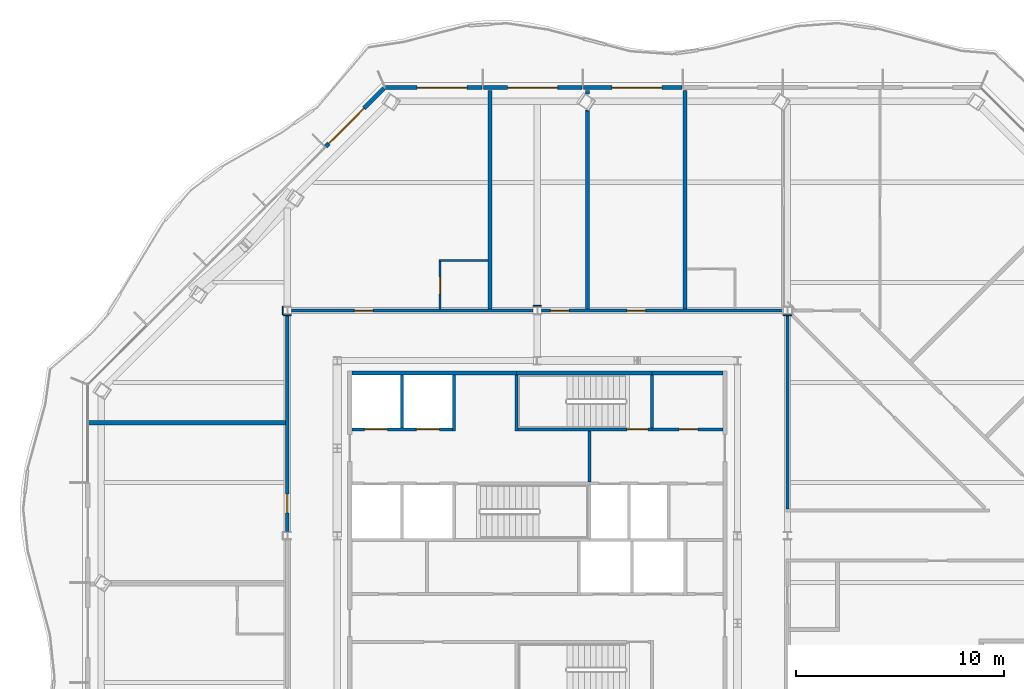
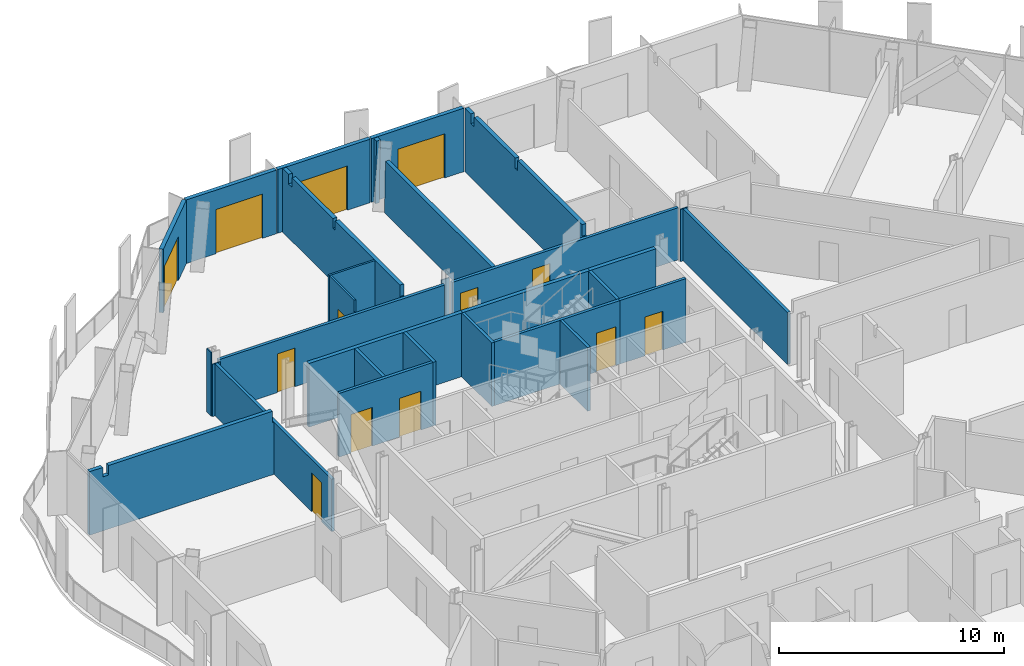
# One storey, part 11 of 19: 30 walls, 13 doors, 13 openings.
"""IFC4 building model written with IfcOpenShell, lengths in metres."""

from ifc_helpers import new_model, si_unit, direction, frame, frame_2d, origin, place, context, subcontext, project, spatial, polyline, rectangle, outline, extrude, material, layer, layer_set, type_object, element, fill, save


model = new_model("IFC4")

# Units and contexts
model_context = context("Model", 3, precision=1e-05, world=origin(), true_north=direction((0.0, 1.0)))
body_context = subcontext(model_context, "Body", "Model", "MODEL_VIEW")
ifc_project = project(units=[si_unit("LENGTHUNIT", "METRE"), si_unit("AREAUNIT", "SQUARE_METRE"), si_unit("VOLUMEUNIT", "CUBIC_METRE"), si_unit("PLANEANGLEUNIT", "RADIAN"), si_unit("MASSUNIT", "GRAM", prefix="KILO")], contexts=[model_context])

# Site, building, storey
site_placement = place(None, origin())
site = spatial("IfcSite", under=ifc_project, at=site_placement, CompositionType="ELEMENT")
building_placement = place(site_placement, origin())
building = spatial("IfcBuilding", under=site, at=building_placement, Name="Cairn Pilgrim Tower", CompositionType="ELEMENT")
storey_placement = place(building_placement, frame((0.0, 0.0, 197.39990234375)))
storey = spatial("IfcBuildingStorey", under=building, at=storey_placement, Name="L50", CompositionType="ELEMENT", Elevation=197.39990234375)

# Wall, opening, door
ifc_material_1 = material(Name="Bronze anodised aluminium insulated sandwich panel with mineral wool fill", Category="aluminium")
ifc_layer_1 = layer(ifc_material_1, 0.199951171875)
ifc_layer_set_1 = layer_set([ifc_layer_1], Name="BRONZE INFILL FRAME WALL 200")
wall_type_1 = type_object("IfcWallType", Name="BRONZE INFILL FRAME WALL 200", PredefinedType="NOTDEFINED", material=ifc_layer_set_1)
wall_1_placement = place(storey_placement, frame((14.14501953125, 23.89990234375, 0.0), z_axis=(0.0, 0.0, 1.0), x_axis=(-1.0, 0.0, 0.0)))
wall_1 = element("IfcWall", 1, at=wall_1_placement, inside=storey, type_object=wall_type_1, Name="Bronze infill frame wall IW-N4", PredefinedType="NOTDEFINED", context=body_context, shape_type="SweptSolid", body=[
    extrude(rectangle(XDim=4.739990234375, YDim=0.199951171875, at=frame_2d((2.3701171875, 0.0))), origin(), (0.0, 0.0, 1.0), 3.4501953125),
])
opening_1_placement = place(wall_1_placement, frame((0.970458984375, 0.0, 0.0)))
opening_1 = element("IfcOpeningElement", 2, at=opening_1_placement, cuts=wall_1, Name="Opening 5009B", PredefinedType="OPENING", context=body_context, shape_type="SweptSolid", body=[
    extrude(rectangle(XDim=2.39990234375, YDim=2.39990234375, at=frame_2d((1.199951171875, 1.199951171875))), frame((0.0, 0.10986328125, 0.0), z_axis=(0.0, -1.0, 0.0), x_axis=(1.0, 0.0, 0.0)), (0.0, 0.0, 1.0), 0.219970703125),
])
ifc_material_2 = material(Name="Bronze anodised aluminium frame with tinted low-E glass", Category="aluminium")
door_type_1 = type_object("IfcDoorType", Name="BALCONY SLIDING DOOR 2400x2400", OperationType="DOUBLE_DOOR_SLIDING", PredefinedType="DOOR", material=ifc_material_2)
door_1_placement = place(opening_1_placement, origin())
door_1 = element("IfcDoor", 3, at=door_1_placement, inside=storey, type_object=door_type_1, Name="Balcony sliding door 5009B", OperationType="SINGLE_SWING_LEFT", OverallHeight=2.39990234375, OverallWidth=2.39990234375, PredefinedType="DOOR", context=body_context, shape_type="SweptSolid", body=[
    extrude(rectangle(XDim=2.39990234375, YDim=2.39990234375, at=frame_2d((1.199951171875, 1.199951171875))), frame((0.0, 0.02490234375, 0.0), z_axis=(0.0, -1.0, 0.0), x_axis=(1.0, 0.0, 0.0)), (0.0, 0.0, 1.0), 0.050048828125),
])
fill(opening_1, door_1)

wall_2_placement = place(storey_placement, frame((9.344970703125, 23.89990234375, 0.0), z_axis=(0.0, 0.0, 1.0), x_axis=(-1.0, 0.0, 0.0)))
wall_2 = element("IfcWall", 4, at=wall_2_placement, inside=storey, type_object=wall_type_1, Name="Bronze infill frame wall IW-N5", PredefinedType="NOTDEFINED", context=body_context, shape_type="SweptSolid", body=[
    extrude(rectangle(XDim=4.739990234375, YDim=0.199951171875, at=frame_2d((2.3701171875, 0.0))), origin(), (0.0, 0.0, 1.0), 3.4501953125),
])
opening_2_placement = place(wall_2_placement, frame((1.170166015625, 0.0, 0.0)))
opening_2 = element("IfcOpeningElement", 5, at=opening_2_placement, cuts=wall_2, Name="Opening 5010B", PredefinedType="OPENING", context=body_context, shape_type="SweptSolid", body=[
    extrude(rectangle(XDim=2.39990234375, YDim=2.39990234375, at=frame_2d((1.199951171875, 1.199951171875))), frame((0.0, 0.10986328125, 0.0), z_axis=(0.0, -1.0, 0.0), x_axis=(1.0, 0.0, 0.0)), (0.0, 0.0, 1.0), 0.219970703125),
])
door_2_placement = place(opening_2_placement, origin())
door_2 = element("IfcDoor", 6, at=door_2_placement, inside=storey, type_object=door_type_1, Name="Balcony sliding door 5010B", OperationType="SINGLE_SWING_LEFT", OverallHeight=2.39990234375, OverallWidth=2.39990234375, PredefinedType="DOOR", context=body_context, shape_type="SweptSolid", body=[
    extrude(rectangle(XDim=2.39990234375, YDim=2.39990234375, at=frame_2d((1.199951171875, 1.199951171875))), frame((0.0, 0.02490234375, 0.0), z_axis=(0.0, -1.0, 0.0), x_axis=(1.0, 0.0, 0.0)), (0.0, 0.0, 1.0), 0.050048828125),
])
fill(opening_2, door_2)

wall_3_placement = place(storey_placement, frame((4.544921875, 23.89990234375, 0.0), z_axis=(0.0, 0.0, 1.0), x_axis=(-1.0, 0.0, 0.0)))
wall_3 = element("IfcWall", 7, at=wall_3_placement, inside=storey, type_object=wall_type_1, Name="Bronze infill frame wall IW-N6", PredefinedType="NOTDEFINED", context=body_context, shape_type="SweptSolid", body=[
    extrude(rectangle(XDim=4.62646484375, YDim=0.199951171875, at=frame_2d((2.313232421875, 0.0))), origin(), (0.0, 0.0, 1.0), 3.4501953125),
])
opening_3_placement = place(wall_3_placement, frame((0.718017578125, 0.0, 0.0)))
opening_3 = element("IfcOpeningElement", 8, at=opening_3_placement, cuts=wall_3, Name="Opening 5011B", PredefinedType="OPENING", context=body_context, shape_type="SweptSolid", body=[
    extrude(rectangle(XDim=2.39990234375, YDim=2.39990234375, at=frame_2d((1.199951171875, 1.199951171875))), frame((0.0, 0.10986328125, 0.0), z_axis=(0.0, -1.0, 0.0), x_axis=(1.0, 0.0, 0.0)), (0.0, 0.0, 1.0), 0.219970703125),
])
door_3_placement = place(opening_3_placement, origin())
door_3 = element("IfcDoor", 9, at=door_3_placement, inside=storey, type_object=door_type_1, Name="Balcony sliding door 5011B", OperationType="SINGLE_SWING_LEFT", OverallHeight=2.39990234375, OverallWidth=2.39990234375, PredefinedType="DOOR", context=body_context, shape_type="SweptSolid", body=[
    extrude(rectangle(XDim=2.39990234375, YDim=2.39990234375, at=frame_2d((1.199951171875, 1.199951171875))), frame((0.0, 0.02490234375, 0.0), z_axis=(0.0, -1.0, 0.0), x_axis=(1.0, 0.0, 0.0)), (0.0, 0.0, 1.0), 0.050048828125),
])
fill(opening_3, door_3)

wall_4_placement = place(storey_placement, frame((-0.149658203125, 23.871826171875, 0.0), z_axis=(0.0, 0.0, 1.0), x_axis=(-0.707106781187, -0.707106781187, 0.0)))
wall_4 = element("IfcWall", 10, at=wall_4_placement, inside=storey, type_object=wall_type_1, Name="Bronze infill frame wall IW-NW1", PredefinedType="NOTDEFINED", context=body_context, shape_type="SweptSolid", body=[
    extrude(rectangle(XDim=3.961669921875, YDim=0.199951171875, at=frame_2d((1.98095703125, 0.0))), origin(), (0.0, 0.0, 1.0), 3.4501953125),
])
opening_4_placement = place(wall_4_placement, frame((1.361572265625, 0.0, 0.0)))
opening_4 = element("IfcOpeningElement", 11, at=opening_4_placement, cuts=wall_4, Name="Opening 5011B2", PredefinedType="OPENING", context=body_context, shape_type="SweptSolid", body=[
    extrude(rectangle(XDim=2.39990234375, YDim=2.39990234375, at=frame_2d((1.199951171875, 1.199951171875))), frame((0.0, 0.10986328125, 0.0), z_axis=(0.0, -1.0, 0.0), x_axis=(1.0, 0.0, 0.0)), (0.0, 0.0, 1.0), 0.219970703125),
])
door_4_placement = place(opening_4_placement, origin())
door_4 = element("IfcDoor", 12, at=door_4_placement, inside=storey, type_object=door_type_1, Name="Balcony sliding door 5011B2", OperationType="SINGLE_SWING_LEFT", OverallHeight=2.39990234375, OverallWidth=2.39990234375, PredefinedType="DOOR", context=body_context, shape_type="SweptSolid", body=[
    extrude(rectangle(XDim=2.39990234375, YDim=2.39990234375, at=frame_2d((1.199951171875, 1.199951171875))), frame((0.0, 0.02490234375, 0.0), z_axis=(0.0, -1.0, 0.0), x_axis=(1.0, 0.0, 0.0)), (0.0, 0.0, 1.0), 0.050048828125),
])
fill(opening_4, door_4)

# Walls
ifc_material_3 = material(Name="Concrete C32/40", Category="concrete")
ifc_layer_2 = layer(ifc_material_3, 0.199951171875)
ifc_layer_set_2 = layer_set([ifc_layer_2], Name="CORE OUTER WALL 200 EI 120")
wall_type_2 = type_object("IfcWallType", Name="CORE OUTER WALL 200 EI 120", PredefinedType="SOLIDWALL", material=ifc_layer_set_2)
wall_5_placement = place(storey_placement, frame((-1.699951171875, 10.199951171875, 0.0), z_axis=(0.0, 0.0, 1.0), x_axis=(1.0, 0.0, 0.0)))
element("IfcWall", 13, at=wall_5_placement, inside=storey, type_object=wall_type_2, Name="CW:L50:H12-1", PredefinedType="SOLIDWALL", context=body_context, shape_type="SweptSolid", body=[
    extrude(rectangle(XDim=7.89990234375, YDim=0.199951171875, at=frame_2d((3.949951171875, 0.0))), origin(), (0.0, 0.0, 1.0), 3.4501953125),
])
wall_6_placement = place(storey_placement, frame((12.699951171875, 10.199951171875, 0.0), z_axis=(0.0, 0.0, 1.0), x_axis=(1.0, 0.0, 0.0)))
element("IfcWall", 14, at=wall_6_placement, inside=storey, type_object=wall_type_2, Name="CW:L50:H12-3", PredefinedType="SOLIDWALL", context=body_context, shape_type="SweptSolid", body=[
    extrude(rectangle(XDim=3.400146484375, YDim=0.199951171875, at=frame_2d((1.7001953125, 0.0))), origin(), (0.0, 0.0, 1.0), 3.4501953125),
])

# Wall, openings, doors
ifc_layer_3 = layer(ifc_material_3, 0.14990234375)
ifc_layer_set_3 = layer_set([ifc_layer_3], Name="CORE SHAFT WALL 150 EI 120")
wall_type_3 = type_object("IfcWallType", Name="CORE SHAFT WALL 150 EI 120", PredefinedType="SOLIDWALL", material=ifc_layer_set_3)
wall_7_placement = place(storey_placement, frame((-1.699951171875, 7.5, 0.0), z_axis=(0.0, 0.0, 1.0), x_axis=(1.0, 0.0, 0.0)))
wall_7 = element("IfcWall", 15, at=wall_7_placement, inside=storey, type_object=wall_type_3, Name="CW:L50:H10", PredefinedType="SOLIDWALL", context=body_context, shape_type="SweptSolid", body=[
    extrude(rectangle(XDim=4.824951171875, YDim=0.14990234375, at=frame_2d((2.41259765625, 0.0))), origin(), (0.0, 0.0, 1.0), 3.4501953125),
])
opening_5_placement = place(wall_7_placement, frame((0.60009765625, 0.0, 0.0)))
opening_5 = element("IfcOpeningElement", 16, at=opening_5_placement, cuts=wall_7, Name="Opening LD-HR3", PredefinedType="OPENING", context=body_context, shape_type="SweptSolid", body=[
    extrude(rectangle(XDim=1.10009765625, YDim=2.10009765625, at=frame_2d((0.550048828125, 1.050048828125))), frame((0.0, 0.0849609375, 0.0), z_axis=(0.0, -1.0, 0.0), x_axis=(1.0, 0.0, 0.0)), (0.0, 0.0, 1.0), 0.169921875),
])
opening_6_placement = place(wall_7_placement, frame((3.10009765625, 0.0, 0.0)))
opening_6 = element("IfcOpeningElement", 17, at=opening_6_placement, cuts=wall_7, Name="Opening LD-HR4", PredefinedType="OPENING", context=body_context, shape_type="SweptSolid", body=[
    extrude(rectangle(XDim=1.10009765625, YDim=2.10009765625, at=frame_2d((0.550048828125, 1.050048828125))), frame((0.0, 0.0849609375, 0.0), z_axis=(0.0, -1.0, 0.0), x_axis=(1.0, 0.0, 0.0)), (0.0, 0.0, 1.0), 0.169921875),
])
ifc_material_4 = material(Name="Stainless steel", Category="steel")
door_type_2 = type_object("IfcDoorType", Name="LIFT LANDING DOOR 1100x2100", OperationType="DOUBLE_DOOR_SLIDING", PredefinedType="DOOR", material=ifc_material_4)
door_5_placement = place(opening_5_placement, origin())
door_5 = element("IfcDoor", 18, at=door_5_placement, inside=storey, type_object=door_type_2, Name="LANDING DOOR HR3", OperationType="DOUBLE_DOOR_SLIDING", OverallHeight=2.10009765625, OverallWidth=1.10009765625, PredefinedType="DOOR", context=body_context, shape_type="SweptSolid", body=[
    extrude(rectangle(XDim=1.10009765625, YDim=2.10009765625, at=frame_2d((0.550048828125, 1.050048828125))), frame((0.0, 0.02490234375, 0.0), z_axis=(0.0, -1.0, 0.0), x_axis=(1.0, 0.0, 0.0)), (0.0, 0.0, 1.0), 0.050048828125),
])
fill(opening_5, door_5)
door_6_placement = place(opening_6_placement, origin())
door_6 = element("IfcDoor", 19, at=door_6_placement, inside=storey, type_object=door_type_2, Name="LANDING DOOR HR4", OperationType="DOUBLE_DOOR_SLIDING", OverallHeight=2.10009765625, OverallWidth=1.10009765625, PredefinedType="DOOR", context=body_context, shape_type="SweptSolid", body=[
    extrude(rectangle(XDim=1.10009765625, YDim=2.10009765625, at=frame_2d((0.550048828125, 1.050048828125))), frame((0.0, 0.02490234375, 0.0), z_axis=(0.0, -1.0, 0.0), x_axis=(1.0, 0.0, 0.0)), (0.0, 0.0, 1.0), 0.050048828125),
])
fill(opening_6, door_6)

# Wall, opening, door
wall_8_placement = place(storey_placement, frame((12.699951171875, 7.5, 0.0), z_axis=(0.0, 0.0, 1.0), x_axis=(1.0, 0.0, 0.0)))
wall_8 = element("IfcWall", 20, at=wall_8_placement, inside=storey, type_object=wall_type_3, Name="CW:L50:H11-2", PredefinedType="SOLIDWALL", context=body_context, shape_type="SweptSolid", body=[
    extrude(rectangle(XDim=3.400146484375, YDim=0.14990234375, at=frame_2d((1.7001953125, 0.0))), origin(), (0.0, 0.0, 1.0), 3.4501953125),
])
opening_7_placement = place(wall_8_placement, frame((1.300048828125, 0.0, 0.0)))
opening_7 = element("IfcOpeningElement", 21, at=opening_7_placement, cuts=wall_8, Name="Opening RD-R4E", PredefinedType="OPENING", context=body_context, shape_type="SweptSolid", body=[
    extrude(rectangle(XDim=0.89990234375, YDim=2.10009765625, at=frame_2d((0.449951171875, 1.050048828125))), frame((0.0, 0.0849609375, 0.0), z_axis=(0.0, -1.0, 0.0), x_axis=(1.0, 0.0, 0.0)), (0.0, 0.0, 1.0), 0.169921875),
])
ifc_material_5 = material(Name="Painted steel", Category="steel")
door_type_3 = type_object("IfcDoorType", Name="SERVICE ROOM DOOR 900x2100", OperationType="SINGLE_SWING_LEFT", PredefinedType="DOOR", material=ifc_material_5)
door_7_placement = place(opening_7_placement, origin())
door_7 = element("IfcDoor", 22, at=door_7_placement, inside=storey, type_object=door_type_3, Name="RD-R4E", OperationType="SINGLE_SWING_RIGHT", OverallHeight=2.10009765625, OverallWidth=0.89990234375, PredefinedType="DOOR", context=body_context, shape_type="SweptSolid", body=[
    extrude(rectangle(XDim=0.89990234375, YDim=2.10009765625, at=frame_2d((0.449951171875, 1.050048828125))), frame((0.0, 0.02490234375, 0.0), z_axis=(0.0, -1.0, 0.0), x_axis=(1.0, 0.0, 0.0)), (0.0, 0.0, 1.0), 0.050048828125),
])
fill(opening_7, door_7)

# Walls
wall_9_placement = place(storey_placement, frame((0.699951171875, 7.574951171875, 0.0), z_axis=(0.0, 0.0, 1.0), x_axis=(0.0, 1.0, 0.0)))
element("IfcWall", 23, at=wall_9_placement, inside=storey, type_object=wall_type_3, Name="CW:L50:V15", PredefinedType="SOLIDWALL", context=body_context, shape_type="SweptSolid", body=[
    extrude(rectangle(XDim=2.525146484375, YDim=0.14990234375, at=frame_2d((1.2626953125, 0.0))), origin(), (0.0, 0.0, 1.0), 3.4501953125),
])
wall_10_placement = place(storey_placement, frame((3.199951171875, 7.425048828125, 0.0), z_axis=(0.0, 0.0, 1.0), x_axis=(0.0, 1.0, 0.0)))
element("IfcWall", 24, at=wall_10_placement, inside=storey, type_object=wall_type_3, Name="CW:L50:V18", PredefinedType="SOLIDWALL", context=body_context, shape_type="SweptSolid", body=[
    extrude(rectangle(XDim=2.675048828125, YDim=0.14990234375, at=frame_2d((1.33740234375, 0.0))), origin(), (0.0, 0.0, 1.0), 3.4501953125),
])
wall_11_placement = place(storey_placement, frame((9.699951171875, 4.97509765625, 0.0), z_axis=(0.0, 0.0, 1.0), x_axis=(0.0, 1.0, 0.0)))
element("IfcWall", 25, at=wall_11_placement, inside=storey, type_object=wall_type_3, Name="CW:L50:V23", PredefinedType="SOLIDWALL", context=body_context, shape_type="SweptSolid", body=[
    extrude(rectangle(XDim=2.449951171875, YDim=0.14990234375, at=frame_2d((1.22509765625, 0.0))), origin(), (0.0, 0.0, 1.0), 3.4501953125),
])

# Wall, opening, door
ifc_material_6 = material(Name="Gypsum partition")
ifc_layer_4 = layer(ifc_material_6, 0.10009765625)
ifc_layer_set_4 = layer_set([ifc_layer_4], Name="PARTITION 100 DRYWALL")
wall_type_4 = type_object("IfcWallType", Name="PARTITION 100 DRYWALL", PredefinedType="PARTITIONING", material=ifc_layer_set_4)
wall_12_placement = place(storey_placement, frame((2.535888671875, 13.27490234375, 0.0), z_axis=(0.0, 0.0, 1.0), x_axis=(0.0, 1.0, 0.0)))
wall_12 = element("IfcWall", 26, at=wall_12_placement, inside=storey, type_object=wall_type_4, Name="PARTITION W077", PredefinedType="PARTITIONING", context=body_context, shape_type="SweptSolid", body=[
    extrude(outline(polyline([(0.0, 0.0), (2.275146484375, 0.0), (2.27490234375, 3.4501953125), (0.074951171875, 3.4501953125), (0.072998046875, 2.830078125), (0.0, 2.830078125), (0.0, 0.0)])), frame((0.0, 0.050048828125, 0.0), z_axis=(0.0, -1.0, 0.0), x_axis=(1.0, 0.0, 0.0)), (0.0, 0.0, 1.0), 0.10009765625),
])
opening_8_placement = place(wall_12_placement, frame((0.72509765625, 0.0, 0.0)))
opening_8 = element("IfcOpeningElement", 27, at=opening_8_placement, cuts=wall_12, Name="Opening 5011A", PredefinedType="OPENING", context=body_context, shape_type="SweptSolid", body=[
    extrude(rectangle(XDim=0.800048828125, YDim=2.10009765625, at=frame_2d((0.39990234375, 1.050048828125))), frame((0.0, 0.06005859375, 0.0), z_axis=(0.0, -1.0, 0.0), x_axis=(1.0, 0.0, 0.0)), (0.0, 0.0, 1.0), 0.1201171875),
])
ifc_material_7 = material(Name="Timber door leaf", Category="wood")
door_type_4 = type_object("IfcDoorType", Name="WC DOOR 800x2100", OperationType="NOTDEFINED", PredefinedType="DOOR", material=ifc_material_7)
door_8_placement = place(opening_8_placement, origin())
door_8 = element("IfcDoor", 28, at=door_8_placement, inside=storey, type_object=door_type_4, Name="DOOR 5011A", OperationType="SINGLE_SWING_RIGHT", OverallHeight=2.10009765625, OverallWidth=0.800048828125, PredefinedType="DOOR", context=body_context, shape_type="SweptSolid", body=[
    extrude(rectangle(XDim=0.800048828125, YDim=2.10009765625, at=frame_2d((0.39990234375, 1.050048828125))), frame((0.0, 0.02490234375, 0.0), z_axis=(0.0, -1.0, 0.0), x_axis=(1.0, 0.0, 0.0)), (0.0, 0.0, 1.0), 0.050048828125),
])
fill(opening_8, door_8)

# Wall
wall_13_placement = place(storey_placement, frame((2.486083984375, 15.60009765625, 0.0), z_axis=(0.0, 0.0, 1.0), x_axis=(1.0, 0.0, 0.0)))
element("IfcWall", 29, at=wall_13_placement, inside=storey, type_object=wall_type_4, Name="PARTITION W084", PredefinedType="PARTITIONING", context=body_context, shape_type="SweptSolid", body=[
    extrude(rectangle(XDim=2.349853515625, YDim=0.10009765625, at=frame_2d((1.1748046875, 0.0))), origin(), (0.0, 0.0, 1.0), 3.4501953125),
])

# Wall, opening, door
ifc_layer_5 = layer(ifc_material_6, 0.14990234375)
ifc_layer_set_5 = layer_set([ifc_layer_5], Name="PARTITION 150 DRYWALL EI 60")
wall_type_5 = type_object("IfcWallType", Name="PARTITION 150 DRYWALL EI 60", PredefinedType="PARTITIONING", material=ifc_layer_set_5)
wall_14_placement = place(storey_placement, frame((-4.800048828125, 2.596435546875, 0.0), z_axis=(0.0, 0.0, 1.0), x_axis=(0.0, 1.0, 0.0)))
wall_14 = element("IfcWall", 30, at=wall_14_placement, inside=storey, type_object=wall_type_5, Name="PARTITION W063", PredefinedType="PARTITIONING", context=body_context, shape_type="SweptSolid", body=[
    extrude(rectangle(XDim=10.406982421875, YDim=0.14990234375, at=frame_2d((5.20361328125, 0.0))), origin(), (0.0, 0.0, 1.0), 2.830078125),
])
opening_9_placement = place(wall_14_placement, frame((0.900390625, 0.0, 0.0)))
opening_9 = element("IfcOpeningElement", 31, at=opening_9_placement, cuts=wall_14, Name="Opening 5012", PredefinedType="OPENING", context=body_context, shape_type="SweptSolid", body=[
    extrude(rectangle(XDim=0.89990234375, YDim=2.10009765625, at=frame_2d((0.449951171875, 1.050048828125))), frame((0.0, 0.0849609375, 0.0), z_axis=(0.0, -1.0, 0.0), x_axis=(1.0, 0.0, 0.0)), (0.0, 0.0, 1.0), 0.169921875),
])
door_type_5 = type_object("IfcDoorType", Name="SERVICE DOOR 900x2100 FD30S", OperationType="NOTDEFINED", PredefinedType="DOOR", material=ifc_material_7)
door_9_placement = place(opening_9_placement, origin())
door_9 = element("IfcDoor", 32, at=door_9_placement, inside=storey, type_object=door_type_5, Name="DOOR 5012", OperationType="SINGLE_SWING_RIGHT", OverallHeight=2.10009765625, OverallWidth=0.89990234375, PredefinedType="DOOR", context=body_context, shape_type="SweptSolid", body=[
    extrude(rectangle(XDim=0.89990234375, YDim=2.10009765625, at=frame_2d((0.449951171875, 1.050048828125))), frame((0.0, 0.02490234375, 0.0), z_axis=(0.0, -1.0, 0.0), x_axis=(1.0, 0.0, 0.0)), (0.0, 0.0, 1.0), 0.050048828125),
])
fill(opening_9, door_9)

# Wall
wall_15_placement = place(storey_placement, frame((19.199951171875, 3.675048828125, 0.0), z_axis=(0.0, 0.0, 1.0), x_axis=(0.0, 1.0, 0.0)))
element("IfcWall", 33, at=wall_15_placement, inside=storey, type_object=wall_type_5, Name="PARTITION W067", PredefinedType="PARTITIONING", context=body_context, shape_type="SweptSolid", body=[
    extrude(rectangle(XDim=9.328369140625, YDim=0.14990234375, at=frame_2d((4.6640625, 0.0))), origin(), (0.0, 0.0, 1.0), 2.830078125),
])

# Wall, opening, door
wall_16_placement = place(storey_placement, frame((-4.6005859375, 13.199951171875, 0.0), z_axis=(0.0, 0.0, 1.0), x_axis=(1.0, 0.0, 0.0)))
wall_16 = element("IfcWall", 34, at=wall_16_placement, inside=storey, type_object=wall_type_5, Name="PARTITION W074", PredefinedType="PARTITIONING", context=body_context, shape_type="SweptSolid", body=[
    extrude(rectangle(XDim=11.60107421875, YDim=0.14990234375, at=frame_2d((5.800537109375, 0.0))), origin(), (0.0, 0.0, 1.0), 2.830078125),
])
opening_10_placement = place(wall_16_placement, frame((3.0185546875, 0.0, 0.0)))
opening_10 = element("IfcOpeningElement", 35, at=opening_10_placement, cuts=wall_16, Name="Opening 5011", PredefinedType="OPENING", context=body_context, shape_type="SweptSolid", body=[
    extrude(rectangle(XDim=0.89990234375, YDim=2.10009765625, at=frame_2d((0.449951171875, 1.050048828125))), frame((0.0, 0.0849609375, 0.0), z_axis=(0.0, -1.0, 0.0), x_axis=(1.0, 0.0, 0.0)), (0.0, 0.0, 1.0), 0.169921875),
])
door_type_6 = type_object("IfcDoorType", Name="ROOM DOOR 900x2100 FD30S", OperationType="NOTDEFINED", PredefinedType="DOOR", material=ifc_material_7)
door_10_placement = place(opening_10_placement, origin())
door_10 = element("IfcDoor", 36, at=door_10_placement, inside=storey, type_object=door_type_6, Name="DOOR 5011", OperationType="SINGLE_SWING_RIGHT", OverallHeight=2.10009765625, OverallWidth=0.89990234375, PredefinedType="DOOR", context=body_context, shape_type="SweptSolid", body=[
    extrude(rectangle(XDim=0.89990234375, YDim=2.10009765625, at=frame_2d((0.449951171875, 1.050048828125))), frame((0.0, 0.02490234375, 0.0), z_axis=(0.0, -1.0, 0.0), x_axis=(1.0, 0.0, 0.0)), (0.0, 0.0, 1.0), 0.050048828125),
])
fill(opening_10, door_10)

# Wall, openings, doors
wall_17_placement = place(storey_placement, frame((7.3994140625, 13.199951171875, 0.0), z_axis=(0.0, 0.0, 1.0), x_axis=(1.0, 0.0, 0.0)))
wall_17 = element("IfcWall", 37, at=wall_17_placement, inside=storey, type_object=wall_type_5, Name="PARTITION W075", PredefinedType="PARTITIONING", context=body_context, shape_type="SweptSolid", body=[
    extrude(rectangle(XDim=11.60107421875, YDim=0.14990234375, at=frame_2d((5.800537109375, 0.0))), origin(), (0.0, 0.0, 1.0), 2.830078125),
])
opening_11_placement = place(wall_17_placement, frame((4.1005859375, 0.0, 0.0)))
opening_11 = element("IfcOpeningElement", 38, at=opening_11_placement, cuts=wall_17, Name="Opening 5009", PredefinedType="OPENING", context=body_context, shape_type="SweptSolid", body=[
    extrude(rectangle(XDim=0.89990234375, YDim=2.10009765625, at=frame_2d((0.449951171875, 1.050048828125))), frame((0.0, 0.0849609375, 0.0), z_axis=(0.0, -1.0, 0.0), x_axis=(1.0, 0.0, 0.0)), (0.0, 0.0, 1.0), 0.169921875),
])
opening_12_placement = place(wall_17_placement, frame((0.424560546875, 0.0, 0.0)))
opening_12 = element("IfcOpeningElement", 39, at=opening_12_placement, cuts=wall_17, Name="Opening 5010", PredefinedType="OPENING", context=body_context, shape_type="SweptSolid", body=[
    extrude(rectangle(XDim=0.89990234375, YDim=2.10009765625, at=frame_2d((0.449951171875, 1.050048828125))), frame((0.0, 0.0849609375, 0.0), z_axis=(0.0, -1.0, 0.0), x_axis=(1.0, 0.0, 0.0)), (0.0, 0.0, 1.0), 0.169921875),
])
door_11_placement = place(opening_11_placement, origin())
door_11 = element("IfcDoor", 40, at=door_11_placement, inside=storey, type_object=door_type_5, Name="DOOR 5009", OperationType="SINGLE_SWING_LEFT", OverallHeight=2.10009765625, OverallWidth=0.89990234375, PredefinedType="DOOR", context=body_context, shape_type="SweptSolid", body=[
    extrude(rectangle(XDim=0.89990234375, YDim=2.10009765625, at=frame_2d((0.449951171875, 1.050048828125))), frame((0.0, 0.02490234375, 0.0), z_axis=(0.0, -1.0, 0.0), x_axis=(1.0, 0.0, 0.0)), (0.0, 0.0, 1.0), 0.050048828125),
])
fill(opening_11, door_11)
door_12_placement = place(opening_12_placement, origin())
door_12 = element("IfcDoor", 41, at=door_12_placement, inside=storey, type_object=door_type_5, Name="DOOR 5010", OperationType="SINGLE_SWING_RIGHT", OverallHeight=2.10009765625, OverallWidth=0.89990234375, PredefinedType="DOOR", context=body_context, shape_type="SweptSolid", body=[
    extrude(rectangle(XDim=0.89990234375, YDim=2.10009765625, at=frame_2d((0.449951171875, 1.050048828125))), frame((0.0, 0.02490234375, 0.0), z_axis=(0.0, -1.0, 0.0), x_axis=(1.0, 0.0, 0.0)), (0.0, 0.0, 1.0), 0.050048828125),
])
fill(opening_12, door_12)

# Walls
ifc_layer_6 = layer(ifc_material_6, 0.050048828125)
ifc_layer_set_6 = layer_set([ifc_layer_6], Name="PARTITION 50 DRYWALL EI 60")
wall_type_6 = type_object("IfcWallType", Name="PARTITION 50 DRYWALL EI 60", PredefinedType="PARTITIONING", material=ifc_layer_set_6)
wall_18_placement = place(storey_placement, frame((-5.0244140625, 13.00341796875, 0.0), z_axis=(0.0, 0.0, 1.0), x_axis=(0.0, 1.0, 0.0)))
element("IfcWall", 42, at=wall_18_placement, inside=storey, type_object=wall_type_6, Name="COLUMN CASING WC09", PredefinedType="PARTITIONING", context=body_context, shape_type="SweptSolid", body=[
    extrude(rectangle(XDim=0.39306640625, YDim=0.050048828125, at=frame_2d((0.196533203125, 0.0))), origin(), (0.0, 0.0, 1.0), 3.4501953125),
])
wall_19_placement = place(storey_placement, frame((-4.99951171875, 12.978515625, 0.0), z_axis=(0.0, 0.0, 1.0), x_axis=(1.0, 0.0, 0.0)))
element("IfcWall", 43, at=wall_19_placement, inside=storey, type_object=wall_type_6, Name="COLUMN CASING WC21", PredefinedType="PARTITIONING", context=body_context, shape_type="SweptSolid", body=[
    extrude(rectangle(XDim=0.39892578125, YDim=0.050048828125, at=frame_2d((0.199462890625, 0.0))), origin(), (0.0, 0.0, 1.0), 2.830078125),
])
wall_20_placement = place(storey_placement, frame((7.00048828125, 13.42138671875, 0.0), z_axis=(0.0, 0.0, 1.0), x_axis=(1.0, 0.0, 0.0)))
element("IfcWall", 44, at=wall_20_placement, inside=storey, type_object=wall_type_6, Name="COLUMN CASING WC22", PredefinedType="PARTITIONING", context=body_context, shape_type="SweptSolid", body=[
    extrude(rectangle(XDim=0.39892578125, YDim=0.050048828125, at=frame_2d((0.199462890625, 0.0))), origin(), (0.0, 0.0, 1.0), 2.93017578125),
])
wall_21_placement = place(storey_placement, frame((19.00048828125, 12.978515625, 0.0), z_axis=(0.0, 0.0, 1.0), x_axis=(1.0, 0.0, 0.0)))
element("IfcWall", 45, at=wall_21_placement, inside=storey, type_object=wall_type_6, Name="COLUMN CASING WC23", PredefinedType="PARTITIONING", context=body_context, shape_type="SweptSolid", body=[
    extrude(rectangle(XDim=0.39892578125, YDim=0.050048828125, at=frame_2d((0.199462890625, 0.0))), origin(), (0.0, 0.0, 1.0), 2.830078125),
])
ifc_layer_7 = layer(ifc_material_6, 0.199951171875)
ifc_layer_set_7 = layer_set([ifc_layer_7], Name="SHAFT WALL 200 GYPSUM EI 60")
wall_type_7 = type_object("IfcWallType", Name="SHAFT WALL 200 GYPSUM EI 60", PredefinedType="PARTITIONING", material=ifc_layer_set_7)
wall_22_placement = place(storey_placement, frame((-14.327880859375, 7.819091796875, 0.0), z_axis=(0.0, 0.0, 1.0), x_axis=(1.0, 0.0, 0.0)))
element("IfcWall", 46, at=wall_22_placement, inside=storey, type_object=wall_type_7, Name="PARTITION W070", PredefinedType="PARTITIONING", context=body_context, shape_type="SweptSolid", body=[
    extrude(outline(polyline([(0.0, 0.0), (9.452880859375, 0.0), (9.452880859375, 2.830078125), (9.3779296875, 2.830078125), (9.3759765625, 3.4501953125), (0.97802734375, 3.4501953125), (0.97607421875, 2.93017578125), (0.677978515625, 2.93017578125), (0.676025390625, 3.4501953125), (0.0, 3.4501953125), (0.0, 0.0)])), frame((0.0, 0.10009765625, 0.0), z_axis=(0.0, -1.0, 0.0), x_axis=(1.0, 0.0, 0.0)), (0.0, 0.0, 1.0), 0.199951171875),
])
wall_23_placement = place(storey_placement, frame((4.93603515625, 13.27490234375, 0.0), z_axis=(0.0, 0.0, 1.0), x_axis=(0.0, 1.0, 0.0)))
element("IfcWall", 47, at=wall_23_placement, inside=storey, type_object=wall_type_7, Name="PARTITION W078", PredefinedType="PARTITIONING", context=body_context, shape_type="SweptSolid", body=[
    extrude(outline(polyline([(0.0, 0.0), (10.4951171875, 0.0), (10.4951171875, 3.4501953125), (9.97509765625, 3.4501953125), (9.972900390625, 2.93017578125), (9.675048828125, 2.93017578125), (9.673095703125, 3.4501953125), (6.02490234375, 3.4501953125), (6.02294921875, 2.93017578125), (5.824951171875, 2.93017578125), (5.822998046875, 3.4501953125), (0.074951171875, 3.4501953125), (0.072998046875, 2.830078125), (0.0, 2.830078125), (0.0, 0.0)])), frame((0.0, 0.10009765625, 0.0), z_axis=(0.0, -1.0, 0.0), x_axis=(1.0, 0.0, 0.0)), (0.0, 0.0, 1.0), 0.199951171875),
])
wall_24_placement = place(storey_placement, frame((9.612060546875, 13.27490234375, 0.0), z_axis=(0.0, 0.0, 1.0), x_axis=(0.0, 1.0, 0.0)))
element("IfcWall", 48, at=wall_24_placement, inside=storey, type_object=wall_type_7, Name="PARTITION W079", PredefinedType="PARTITIONING", context=body_context, shape_type="SweptSolid", body=[
    extrude(outline(polyline([(0.0, 0.0), (9.55224609375, 0.0), (9.516357421875, 0.862548828125), (9.48046875, 1.72509765625), (9.47265625, 2.587646484375), (9.47265625, 2.830078125), (0.0, 2.830078125), (0.0, 2.587646484375), (0.0, 1.72509765625), (0.0, 0.862548828125), (0.0, 0.0)])), frame((0.0, 0.10009765625, 0.0), z_axis=(0.0, -1.0, 0.0), x_axis=(1.0, 0.0, 0.0)), (0.0, 0.0, 1.0), 0.199951171875),
])
wall_25_placement = place(storey_placement, frame((14.2880859375, 13.27490234375, 0.0), z_axis=(0.0, 0.0, 1.0), x_axis=(0.0, 1.0, 0.0)))
element("IfcWall", 49, at=wall_25_placement, inside=storey, type_object=wall_type_7, Name="PARTITION W080", PredefinedType="PARTITIONING", context=body_context, shape_type="SweptSolid", body=[
    extrude(outline(polyline([(0.0, 0.0), (10.4951171875, 0.0), (10.4951171875, 3.4501953125), (9.97509765625, 3.4501953125), (9.972900390625, 2.93017578125), (9.675048828125, 2.93017578125), (9.673095703125, 3.4501953125), (6.030029296875, 3.4501953125), (6.028076171875, 2.880126953125), (5.820068359375, 2.880126953125), (5.818115234375, 3.4501953125), (0.074951171875, 3.4501953125), (0.072998046875, 2.830078125), (0.0, 2.830078125), (0.0, 0.0)])), frame((0.0, 0.10009765625, 0.0), z_axis=(0.0, -1.0, 0.0), x_axis=(1.0, 0.0, 0.0)), (0.0, 0.0, 1.0), 0.199951171875),
])
wall_26_placement = place(storey_placement, frame((9.612060546875, 23.5166015625, 0.0), z_axis=(0.0, 0.0, 1.0), x_axis=(0.0, 1.0, 0.0)))
element("IfcWall", 50, at=wall_26_placement, inside=storey, type_object=wall_type_7, Name="PARTITION W086", PredefinedType="PARTITIONING", context=body_context, shape_type="SweptSolid", body=[
    extrude(outline(polyline([(0.085693359375, 0.0), (0.25341796875, 0.0), (0.25341796875, 0.862548828125), (0.25341796875, 1.72509765625), (0.25341796875, 2.587646484375), (0.25341796875, 3.4501953125), (0.0, 3.4501953125), (0.035888671875, 2.587646484375), (0.072021484375, 1.72509765625), (0.085693359375, 0.862548828125), (0.085693359375, 0.0)])), frame((0.0, 0.10009765625, 0.0), z_axis=(0.0, -1.0, 0.0), x_axis=(1.0, 0.0, 0.0)), (0.0, 0.0, 1.0), 0.199951171875),
])

# Wall, opening, door
ifc_material_8 = material(Name="Concrete C35/45", Category="concrete")
ifc_layer_8 = layer(ifc_material_8, 0.14990234375)
ifc_layer_set_8 = layer_set([ifc_layer_8], Name="STAIR SHAFT WALL 150 EI 120")
wall_type_8 = type_object("IfcWallType", Name="STAIR SHAFT WALL 150 EI 120", PredefinedType="SOLIDWALL", material=ifc_layer_set_8)
wall_27_placement = place(storey_placement, frame((6.27490234375, 7.5, 0.0), z_axis=(0.0, 0.0, 1.0), x_axis=(1.0, 0.0, 0.0)))
wall_27 = element("IfcWall", 51, at=wall_27_placement, inside=storey, type_object=wall_type_8, Name="CW:L50:H11-1", PredefinedType="SOLIDWALL", context=body_context, shape_type="SweptSolid", body=[
    extrude(rectangle(XDim=6.425048828125, YDim=0.14990234375, at=frame_2d((3.21240234375, 0.0))), origin(), (0.0, 0.0, 1.0), 3.4501953125),
])
opening_13_placement = place(wall_27_placement, frame((5.22509765625, 0.0, 0.0)))
opening_13 = element("IfcOpeningElement", 52, at=opening_13_placement, cuts=wall_27, Name="Opening SD-C", PredefinedType="OPENING", context=body_context, shape_type="SweptSolid", body=[
    extrude(rectangle(XDim=1.0, YDim=2.10009765625, at=frame_2d((0.5, 1.050048828125))), frame((0.0, 0.0849609375, 0.0), z_axis=(0.0, -1.0, 0.0), x_axis=(1.0, 0.0, 0.0)), (0.0, 0.0, 1.0), 0.169921875),
])
door_type_7 = type_object("IfcDoorType", Name="STAIR DOOR FD60S 1000x2100", OperationType="SINGLE_SWING_LEFT", PredefinedType="DOOR", material=ifc_material_5)
door_13_placement = place(opening_13_placement, origin())
door_13 = element("IfcDoor", 53, at=door_13_placement, inside=storey, type_object=door_type_7, Name="SD-C", OperationType="SINGLE_SWING_LEFT", OverallHeight=2.10009765625, OverallWidth=1.0, PredefinedType="DOOR", context=body_context, shape_type="SweptSolid", body=[
    extrude(rectangle(XDim=1.0, YDim=2.10009765625, at=frame_2d((0.5, 1.050048828125))), frame((0.0, 0.02490234375, 0.0), z_axis=(0.0, -1.0, 0.0), x_axis=(1.0, 0.0, 0.0)), (0.0, 0.0, 1.0), 0.050048828125),
])
fill(opening_13, door_13)

# Walls
wall_28_placement = place(storey_placement, frame((6.199951171875, 7.425048828125, 0.0), z_axis=(0.0, 0.0, 1.0), x_axis=(0.0, 1.0, 0.0)))
element("IfcWall", 54, at=wall_28_placement, inside=storey, type_object=wall_type_8, Name="CW:L50:V20", PredefinedType="SOLIDWALL", context=body_context, shape_type="SweptSolid", body=[
    extrude(rectangle(XDim=2.675048828125, YDim=0.14990234375, at=frame_2d((1.33740234375, 0.0))), origin(), (0.0, 0.0, 1.0), 3.4501953125),
])
wall_29_placement = place(storey_placement, frame((12.699951171875, 7.574951171875, 0.0), z_axis=(0.0, 0.0, 1.0), x_axis=(0.0, 1.0, 0.0)))
element("IfcWall", 55, at=wall_29_placement, inside=storey, type_object=wall_type_8, Name="CW:L50:V27", PredefinedType="SOLIDWALL", context=body_context, shape_type="SweptSolid", body=[
    extrude(rectangle(XDim=2.525146484375, YDim=0.14990234375, at=frame_2d((1.2626953125, 0.0))), origin(), (0.0, 0.0, 1.0), 3.4501953125),
])
ifc_layer_9 = layer(ifc_material_8, 0.199951171875)
ifc_layer_set_9 = layer_set([ifc_layer_9], Name="STAIR SHAFT WALL 200 EI 120")
wall_type_9 = type_object("IfcWallType", Name="STAIR SHAFT WALL 200 EI 120", PredefinedType="SOLIDWALL", material=ifc_layer_set_9)
wall_30_placement = place(storey_placement, frame((6.199951171875, 10.199951171875, 0.0), z_axis=(0.0, 0.0, 1.0), x_axis=(1.0, 0.0, 0.0)))
element("IfcWall", 56, at=wall_30_placement, inside=storey, type_object=wall_type_9, Name="CW:L50:H12-2", PredefinedType="SOLIDWALL", context=body_context, shape_type="SweptSolid", body=[
    extrude(rectangle(XDim=6.5, YDim=0.199951171875, at=frame_2d((3.25, 0.0))), origin(), (0.0, 0.0, 1.0), 3.4501953125),
])

save(model, "model.ifc")
